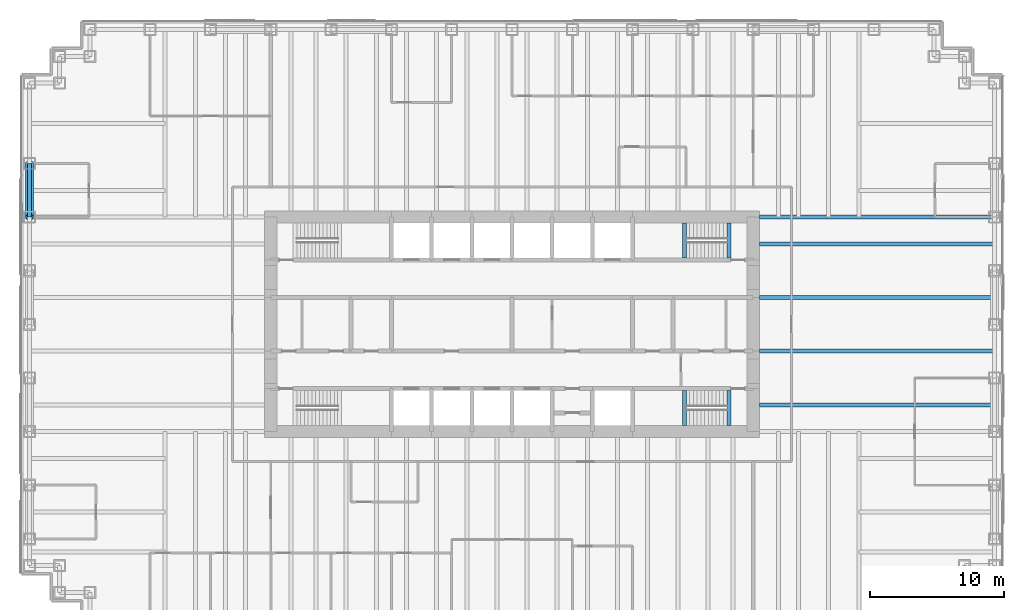
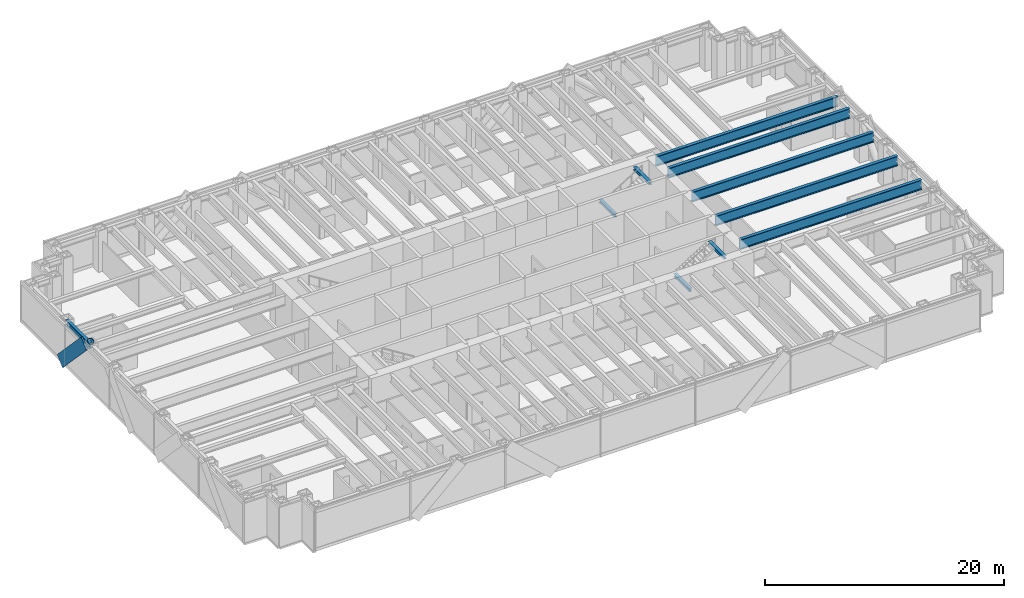
# One storey, part 5 of 15: 10 beams, 2 members, 1 element without a shape of its own.
"""IFC4 building model written with IfcOpenShell, lengths in metres."""

from ifc_helpers import new_model, si_unit, direction, frame, origin, origin_2d, place, context, subcontext, project, spatial, rectangle, hollow_circle, i_section, extrude, material, material_profile, profile_set, type_object, element, aggregate, save


model = new_model("IFC4")

# Units and contexts
model_context = context("Model", 3, precision=1e-05, world=origin(), true_north=direction((0.0, 1.0)))
body_context = subcontext(model_context, "Body", "Model", "MODEL_VIEW")
ifc_project = project(units=[si_unit("LENGTHUNIT", "METRE"), si_unit("AREAUNIT", "SQUARE_METRE"), si_unit("VOLUMEUNIT", "CUBIC_METRE"), si_unit("PLANEANGLEUNIT", "RADIAN"), si_unit("MASSUNIT", "GRAM", prefix="KILO")], contexts=[model_context])

# Site, building, storey
site_placement = place(None, origin())
site = spatial("IfcSite", under=ifc_project, at=site_placement, CompositionType="ELEMENT")
building_placement = place(site_placement, origin())
building = spatial("IfcBuilding", under=site, at=building_placement, Name="Rheinbord Bourse Tower", CompositionType="ELEMENT")
storey_placement = place(building_placement, frame((0.0, 0.0, 163.5)))
storey = spatial("IfcBuildingStorey", under=building, at=storey_placement, Name="L36", CompositionType="ELEMENT", Elevation=163.5)

# Curtain wall, member
ifc_material_1 = material(Name="Dark glass and black aluminium", Category="aluminium")
curtain_wall_type = type_object("IfcCurtainWallType", Name="CW2 DARK GLASS CURTAIN WALL", PredefinedType="USERDEFINED", material=ifc_material_1)
curtain_wall_placement = place(storey_placement, origin())
curtain_wall = element("IfcCurtainWall", 1, at=curtain_wall_placement, inside=storey, type_object=curtain_wall_type, Name="Curtain wall CW2 W L36", ObjectType="UNITISED CURTAIN WALL", PredefinedType="USERDEFINED")
ifc_material_2 = material(Name="Black anodised aluminium", Category="aluminium")
ifc_material_profile_1 = material_profile(ifc_material_2, rectangle(XDim=0.159912109375, YDim=1.2099609375, at=origin_2d()), Name="CW2 DIAGONAL MULLION 1210x160")
ifc_profile_set_1 = profile_set([ifc_material_profile_1], Name="Black anodised aluminium")
member_type_1 = type_object("IfcMemberType", Name="CW2 BLACK DIAGONAL MULLION", PredefinedType="USERDEFINED", material=ifc_profile_set_1)
member_1_placement = place(storey_placement, frame((-0.60009765625, 36.0, 0.0), z_axis=(0.0, -0.689659376744, 0.724133926887), x_axis=(1.0, 0.0, 0.0)))
member_1 = element("IfcMember", 2, at=member_1_placement, type_object=member_type_1, Name="CW2 diagonal mullion b", ObjectType="DIAGONAL MULLION", PredefinedType="USERDEFINED", context=body_context, shape_type="SweptSolid", body=[
    extrude(rectangle(XDim=0.159912109375, YDim=1.2099609375, at=origin_2d()), origin(), (0.0, 0.0, 1.0), 5.800048828125),
])
aggregate(curtain_wall, [member_1])

# Beams
ifc_material_3 = material(Name="Steel S460", Category="steel")
ifc_material_profile_2 = material_profile(ifc_material_3, i_section(OverallWidth=0.302001953125, OverallDepth=1.008056640625, WebThickness=0.02099609375, FlangeThickness=0.0400390625, at=origin_2d()), Name="HEM 1000")
ifc_profile_set_2 = profile_set([ifc_material_profile_2], Name="Steel S460")
beam_type_1 = type_object("IfcBeamType", Name="END BEAM HEM 1000", PredefinedType="BEAM", material=ifc_profile_set_2)
for number, where, z_axis, x_axis, name in (
    (3, (54.449951171875, 18.0, 3.535888671875), (1.0, 0.0, 0.0), (0.0, 1.0, 0.0), "End beam east 18 L37"),
    (4, (54.449951171875, 22.0, 3.535888671875), (1.0, 0.0, 0.0), (0.0, 1.0, 0.0), "End beam east 22 L37"),
    (5, (54.449951171875, 26.0, 3.535888671875), (1.0, 0.0, 0.0), (0.0, 1.0, 0.0), "End beam east 26 L37"),
    (6, (54.449951171875, 30.0, 3.535888671875), (1.0, 0.0, 0.0), (0.0, 1.0, 0.0), "End beam east 30 L37"),
):
    element("IfcBeam", number, at=place(storey_placement, frame(where, z_axis=z_axis, x_axis=x_axis)), inside=storey, type_object=beam_type_1, Name=name, PredefinedType="BEAM", context=body_context, shape_type="SweptSolid", body=[
        extrude(i_section(OverallWidth=0.302001953125, OverallDepth=1.008056640625, WebThickness=0.02099609375, FlangeThickness=0.0400390625, at=origin_2d()), origin(), (0.0, 0.0, 1.0), 17.550048828125),
    ])
ifc_material_4 = material(Name="Steel S460", Category="steel")
ifc_material_profile_3 = material_profile(ifc_material_4, i_section(OverallWidth=0.302001953125, OverallDepth=1.008056640625, WebThickness=0.02099609375, FlangeThickness=0.0400390625, at=origin_2d()), Name="HEM 1000")
ifc_profile_set_3 = profile_set([ifc_material_profile_3], Name="Steel S460")
beam_type_2 = type_object("IfcBeamType", Name="GIRDER HEM 1000", PredefinedType="BEAM", material=ifc_profile_set_3)
beam_1_placement = place(storey_placement, frame((54.449951171875, 32.0, 3.535888671875), z_axis=(1.0, 0.0, 0.0), x_axis=(0.0, 1.0, 0.0)))
element("IfcBeam", 7, at=beam_1_placement, inside=storey, type_object=beam_type_2, Name="Girder east 32 L37", PredefinedType="BEAM", context=body_context, shape_type="SweptSolid", body=[
    extrude(i_section(OverallWidth=0.302001953125, OverallDepth=1.008056640625, WebThickness=0.02099609375, FlangeThickness=0.0400390625, at=origin_2d()), origin(), (0.0, 0.0, 1.0), 17.550048828125),
])
ifc_material_5 = material(Name="Steel S460", Category="steel")
ifc_material_profile_4 = material_profile(ifc_material_5, i_section(OverallWidth=0.300048828125, OverallDepth=0.300048828125, WebThickness=0.010986328125, FlangeThickness=0.01904296875, at=origin_2d()), Name="HEB 300")
ifc_profile_set_4 = profile_set([ifc_material_profile_4], Name="Steel S460")
beam_type_3 = type_object("IfcBeamType", Name="LANDING TRIMMER HEB 300", PredefinedType="BEAM", material=ifc_profile_set_4)
for number, where, z_axis, x_axis, name in (
    (8, (48.8701171875, 16.449951171875, 1.75), (0.0, 1.0, 0.0), (-1.0, 0.0, 0.0), "Landing trimmer ST3 L36"),
    (9, (52.199951171875, 16.449951171875, 3.889892578125), (0.0, 1.0, 0.0), (-1.0, 0.0, 0.0), "Well trimmer ST3 under L37"),
    (10, (48.8701171875, 28.949951171875, 1.75), (0.0, 1.0, 0.0), (-1.0, 0.0, 0.0), "Landing trimmer ST4 L36"),
    (11, (52.199951171875, 28.949951171875, 3.889892578125), (0.0, 1.0, 0.0), (-1.0, 0.0, 0.0), "Well trimmer ST4 under L37"),
):
    element("IfcBeam", number, at=place(storey_placement, frame(where, z_axis=z_axis, x_axis=x_axis)), inside=storey, type_object=beam_type_3, Name=name, PredefinedType="BEAM", context=body_context, shape_type="SweptSolid", body=[
        extrude(i_section(OverallWidth=0.300048828125, OverallDepth=0.300048828125, WebThickness=0.010986328125, FlangeThickness=0.01904296875, at=origin_2d()), origin(), (0.0, 0.0, 1.0), 2.60009765625),
    ])

# Member
ifc_material_6 = material(Name="Steel S460", Category="steel")
ifc_material_profile_5 = material_profile(ifc_material_6, hollow_circle(Radius=0.304931640625, WallThickness=0.0400390625, at=origin_2d()), Name="CHS 610x40")
ifc_profile_set_5 = profile_set([ifc_material_profile_5], Name="Steel S460")
member_type_2 = type_object("IfcMemberType", Name="MEGABRACE CHS 610x40", PredefinedType="BRACE", material=ifc_profile_set_5)
member_2_placement = place(storey_placement, frame((0.0, 36.0, 0.0), z_axis=(0.0, -0.689659376744, 0.724133926887), x_axis=(1.0, 0.0, 0.0)))
element("IfcMember", 12, at=member_2_placement, inside=storey, type_object=member_type_2, Name="Megabrace W face line b L36", PredefinedType="BRACE", context=body_context, shape_type="SweptSolid", body=[
    extrude(hollow_circle(Radius=0.304931640625, WallThickness=0.0400390625, at=origin_2d()), origin(), (0.0, 0.0, 1.0), 5.800048828125),
])

# Beam
ifc_material_7 = material(Name="Steel S460", Category="steel")
ifc_material_profile_6 = material_profile(ifc_material_7, i_section(OverallWidth=0.305908203125, OverallDepth=0.572021484375, WebThickness=0.02099609375, FlangeThickness=0.0400390625, at=origin_2d()), Name="HEM 550")
ifc_profile_set_6 = profile_set([ifc_material_profile_6], Name="Steel S460")
beam_type_4 = type_object("IfcBeamType", Name="SPANDREL HEM 550", PredefinedType="SPANDREL", material=ifc_profile_set_6)
beam_2_placement = place(storey_placement, frame((0.0, 36.0, 3.75390625), z_axis=(0.0, -1.0, 0.0), x_axis=(1.0, 0.0, 0.0)))
element("IfcBeam", 13, at=beam_2_placement, inside=storey, type_object=beam_type_4, Name="Spandrel W-36-W-32 under L37", PredefinedType="SPANDREL", context=body_context, shape_type="SweptSolid", body=[
    extrude(i_section(OverallWidth=0.305908203125, OverallDepth=0.572021484375, WebThickness=0.02099609375, FlangeThickness=0.0400390625, at=origin_2d()), origin(), (0.0, 0.0, 1.0), 4.0),
])

save(model, "model.ifc")
